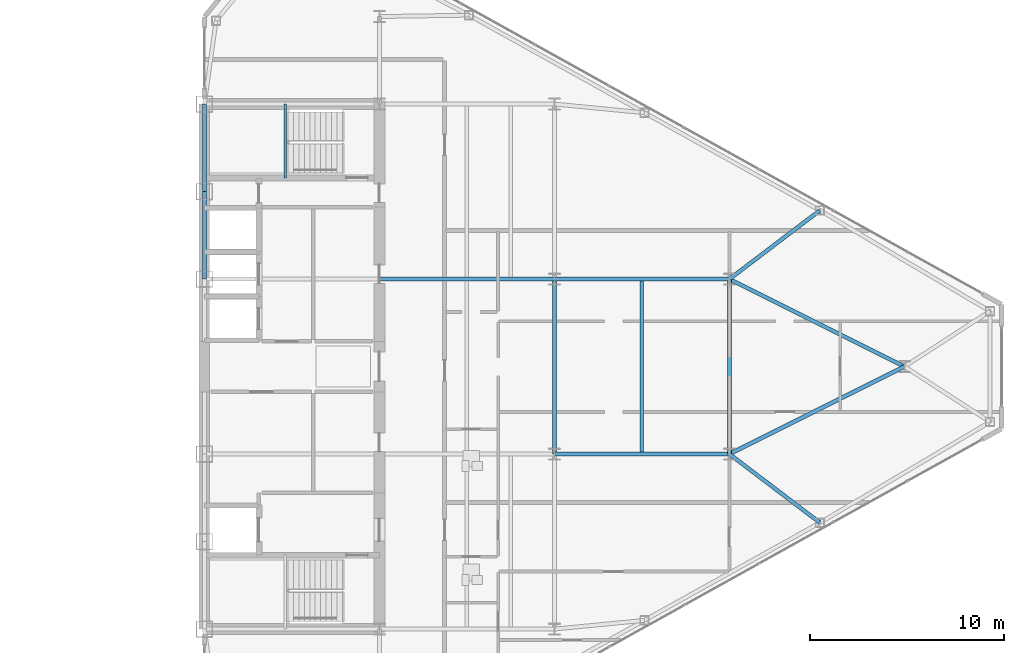
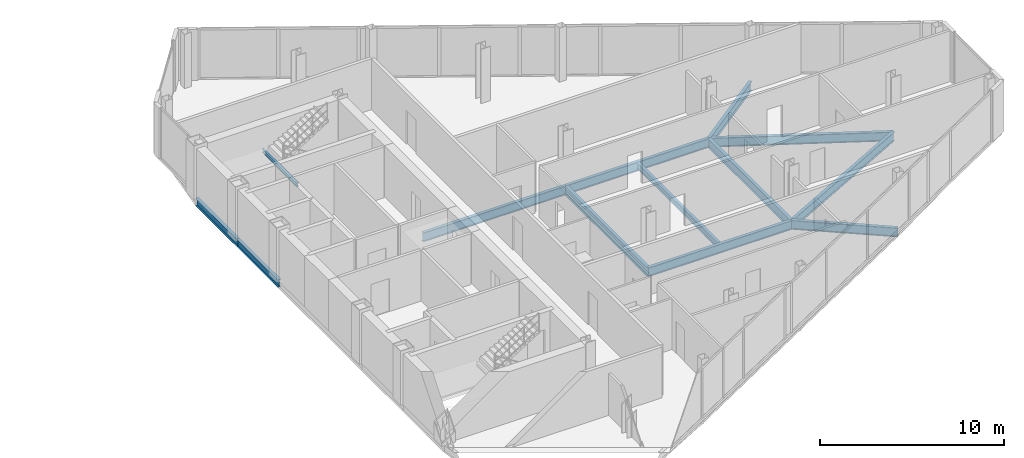
# One storey, part 14 of 26: 13 beams.
"""IFC4 building model written with IfcOpenShell, lengths in metres."""

from ifc_helpers import new_model, si_unit, direction, frame, origin, origin_2d, place, context, subcontext, project, spatial, i_section, extrude, source, transform, mapped, material, material_profile, profile_set, type_object, type_shapes, element, save


model = new_model("IFC4")

# Units and contexts
model_context = context("Model", 3, precision=1e-05, world=origin(), true_north=direction((0.0, 1.0)))
body_context = subcontext(model_context, "Body", "Model", "MODEL_VIEW")
ifc_project = project(units=[si_unit("LENGTHUNIT", "METRE"), si_unit("AREAUNIT", "SQUARE_METRE"), si_unit("VOLUMEUNIT", "CUBIC_METRE"), si_unit("PLANEANGLEUNIT", "RADIAN"), si_unit("MASSUNIT", "GRAM", prefix="KILO")], contexts=[model_context])

# Site, building, storey
site_placement = place(None, origin())
site = spatial("IfcSite", under=ifc_project, at=site_placement, CompositionType="ELEMENT")
building_placement = place(site_placement, origin())
building = spatial("IfcBuilding", under=site, at=building_placement, Name="Seokmaru Belvedere", CompositionType="ELEMENT")
storey_placement = place(building_placement, frame((0.0, 0.0, 170.699951171875)))
storey = spatial("IfcBuildingStorey", under=building, at=storey_placement, Name="L45", CompositionType="ELEMENT", Elevation=170.699951171875)

# Beams
ifc_material = material(Name="Steel SM355 (355 MPa)", Category="steel")
ifc_material_profile_1 = material_profile(ifc_material, i_section(OverallWidth=0.199951171875, OverallDepth=0.5, WebThickness=0.010009765625, FlangeThickness=0.01611328125, at=origin_2d()), Name="H-500x200x10x16")
ifc_profile_set_1 = profile_set([ifc_material_profile_1], Name="Steel SM355 (355 MPa)")
beam_type_1 = type_object("IfcBeamType", Name="Perimeter Spandrel Beam H-500", PredefinedType="SPANDREL", material=ifc_profile_set_1)
shared_shape_1 = source(origin(), body_context, "Body", "SweptSolid", [
    extrude(i_section(OverallWidth=0.199951171875, OverallDepth=0.5, WebThickness=0.010009765625, FlangeThickness=0.01611328125, at=origin_2d()), origin(), (0.0, 0.0, 1.0), 4.5),
])
type_shapes(beam_type_1, [shared_shape_1])
for number, where, z_axis, x_axis, name in (
    (1, (27.5, 4.5, -0.469970703125), (0.0, 1.0, 0.0), (-1.0, 0.0, 0.0), "L45 E Portal Spine Spandrel 4"),
    (2, (27.5, 9.0, -0.469970703125), (0.0, 1.0, 0.0), (-1.0, 0.0, 0.0), "L45 E Portal Spine Spandrel 5"),
):
    element("IfcBeam", number, at=place(storey_placement, frame(where, z_axis=z_axis, x_axis=x_axis)), inside=storey, type_object=beam_type_1, Name=name, PredefinedType="SPANDREL", context=body_context, shape_type="MappedRepresentation", body=[
        mapped(shared_shape_1, transform((0.0, 0.0, 0.0), scale=1.0)),
    ])
ifc_material_profile_2 = material_profile(ifc_material, i_section(OverallWidth=0.199951171875, OverallDepth=0.60009765625, WebThickness=0.010986328125, FlangeThickness=0.01708984375, at=origin_2d()), Name="H-600x200x11x17")
ifc_profile_set_2 = profile_set([ifc_material_profile_2], Name="Steel SM355 (355 MPa)")
beam_type_2 = type_object("IfcBeamType", Name="Primary Floor Girder H-600", PredefinedType="BEAM", material=ifc_profile_set_2)
shared_shape_2 = source(origin(), body_context, "Body", "SweptSolid", [
    extrude(i_section(OverallWidth=0.199951171875, OverallDepth=0.60009765625, WebThickness=0.010986328125, FlangeThickness=0.01708984375, at=origin_2d()), origin(), (0.0, 0.0, 1.0), 9.0),
])
for number, where, z_axis, x_axis, name in (
    (3, (45.5, -4.5, -0.52001953125), (0.0, 1.0, 0.0), (-1.0, 0.0, 0.0), "L45 E Interior Grid Girder 2"),
    (4, (36.5, 4.5, -0.52001953125), (1.0, 0.0, 0.0), (0.0, 1.0, 0.0), "L45 E Wing Primary Girder 3"),
    (5, (45.5, -4.5, -0.52001953125), (1.0, 0.0, 0.0), (0.0, 1.0, 0.0), "L45 E Outer Wing Girder 1"),
    (6, (45.5, 4.5, -0.52001953125), (1.0, 0.0, 0.0), (0.0, 1.0, 0.0), "L45 E Outer Wing Girder 2"),
    (7, (54.5, -4.5, -0.52001953125), (0.0, 1.0, 0.0), (-1.0, 0.0, 0.0), "L45 E Apex Frame Girder"),
):
    element("IfcBeam", number, at=place(storey_placement, frame(where, z_axis=z_axis, x_axis=x_axis)), inside=storey, type_object=beam_type_2, Name=name, PredefinedType="BEAM", context=body_context, shape_type="MappedRepresentation", body=[
        mapped(shared_shape_2, transform((0.0, 0.0, 0.0), scale=1.0)),
    ])
shared_shape_3 = source(origin(), body_context, "Body", "SweptSolid", [
    extrude(i_section(OverallWidth=0.199951171875, OverallDepth=0.60009765625, WebThickness=0.010986328125, FlangeThickness=0.01708984375, at=origin_2d()), origin(), (0.0, 0.0, 1.0), 10.062255859375),
])
for number, where, z_axis, x_axis, name in (
    (8, (54.5, -4.5, -0.52001953125), (0.894427191, 0.4472135955, 0.0), (-0.4472135955, 0.894427191, 0.0), "L45 E Apex Converging Girder 1"),
    (9, (54.5, 4.5, -0.52001953125), (0.894427191, -0.4472135955, 0.0), (0.4472135955, 0.894427191, 0.0), "L45 E Apex Converging Girder 2"),
):
    element("IfcBeam", number, at=place(storey_placement, frame(where, z_axis=z_axis, x_axis=x_axis)), inside=storey, type_object=beam_type_2, Name=name, PredefinedType="BEAM", context=body_context, shape_type="MappedRepresentation", body=[
        mapped(shared_shape_3, transform((0.0, 0.0, 0.0), scale=1.0)),
    ])
ifc_material_profile_3 = material_profile(ifc_material, i_section(OverallWidth=0.18505859375, OverallDepth=0.389892578125, WebThickness=0.008056640625, FlangeThickness=0.011962890625, at=origin_2d()), Name="H-390x185x8x12")
ifc_profile_set_3 = profile_set([ifc_material_profile_3], Name="Steel SM355 (355 MPa)")
beam_type_3 = type_object("IfcBeamType", Name="Secondary Floor Joist H-350", PredefinedType="JOIST", material=ifc_profile_set_3)
shared_shape_4 = source(origin(), body_context, "Body", "SweptSolid", [
    extrude(i_section(OverallWidth=0.18505859375, OverallDepth=0.389892578125, WebThickness=0.008056640625, FlangeThickness=0.011962890625, at=origin_2d()), origin(), (0.0, 0.0, 1.0), 8.7900390625),
])
type_shapes(beam_type_3, [shared_shape_4])
beam_1_placement = place(storey_placement, frame((50.0, -4.39501953125, -0.4150390625), z_axis=(0.0, 1.0, 0.0), x_axis=(-1.0, 0.0, 0.0)))
element("IfcBeam", 10, at=beam_1_placement, inside=storey, type_object=beam_type_3, Name="L45 E Outer Bay Secondary Joist", PredefinedType="JOIST", context=body_context, shape_type="MappedRepresentation", body=[
    mapped(shared_shape_4, transform((0.0, 0.0, 0.0), scale=1.0)),
])
shared_shape_5 = source(origin(), body_context, "Body", "SweptSolid", [
    extrude(i_section(OverallWidth=0.199951171875, OverallDepth=0.60009765625, WebThickness=0.010986328125, FlangeThickness=0.01708984375, at=origin_2d()), origin(), (0.0, 0.0, 1.0), 5.842529296875),
])
type_shapes(beam_type_2, [shared_shape_2, shared_shape_3, shared_shape_5])
for number, where, z_axis, x_axis, name in (
    (11, (59.154541015625, -8.031494140625, -0.52001953125), (-0.796653109879, 0.604436781243, 0.0), (-0.604436781243, -0.796653109879, 0.0), "L45 E Flank Radial Floor Girder S-3"),
    (12, (59.154541015625, 8.031494140625, -0.52001953125), (-0.796653109879, -0.604436781243, 0.0), (0.604436781243, -0.796653109879, 0.0), "L45 E Flank Radial Floor Girder N-3"),
):
    element("IfcBeam", number, at=place(storey_placement, frame(where, z_axis=z_axis, x_axis=x_axis)), inside=storey, type_object=beam_type_2, Name=name, PredefinedType="BEAM", context=body_context, shape_type="MappedRepresentation", body=[
        mapped(shared_shape_5, transform((0.0, 0.0, 0.0), scale=1.0)),
    ])
ifc_material_profile_4 = material_profile(ifc_material, i_section(OverallWidth=0.125, OverallDepth=0.25, WebThickness=0.006103515625, FlangeThickness=0.009033203125, at=origin_2d()), Name="H-250x125x6x9")
ifc_profile_set_4 = profile_set([ifc_material_profile_4], Name="Steel SM355 (355 MPa)")
beam_type_4 = type_object("IfcBeamType", Name="Stair Mid-Landing Support Beam H-250", PredefinedType="JOIST", material=ifc_profile_set_4)
shared_shape_6 = source(origin(), body_context, "Body", "SweptSolid", [
    extrude(i_section(OverallWidth=0.125, OverallDepth=0.25, WebThickness=0.006103515625, FlangeThickness=0.009033203125, at=origin_2d()), origin(), (0.0, 0.0, 1.0), 3.800048828125),
])
type_shapes(beam_type_4, [shared_shape_6])
beam_2_placement = place(storey_placement, frame((31.64990234375, 9.699951171875, 1.47509765625), z_axis=(0.0, 1.0, 0.0), x_axis=(-1.0, 0.0, 0.0)))
element("IfcBeam", 13, at=beam_2_placement, inside=storey, type_object=beam_type_4, Name="L45 Stair ST-E2 Mid-Landing Support Beam 1", PredefinedType="JOIST", context=body_context, shape_type="MappedRepresentation", body=[
    mapped(shared_shape_6, transform((0.0, 0.0, 0.0), scale=1.0)),
])

save(model, "model.ifc")
